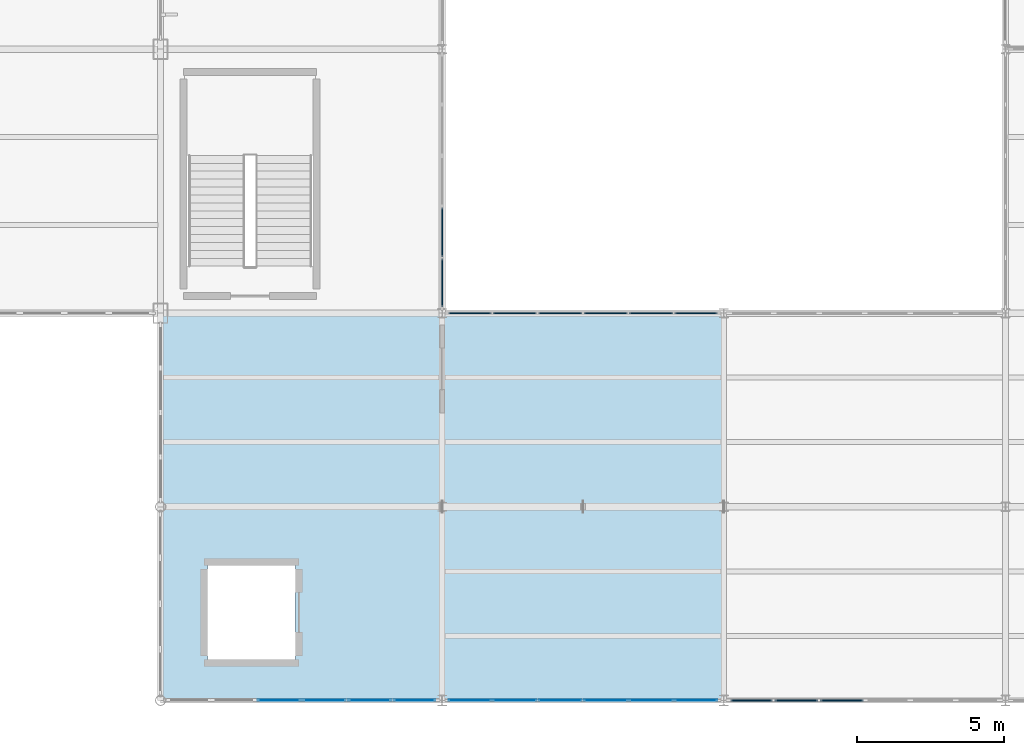
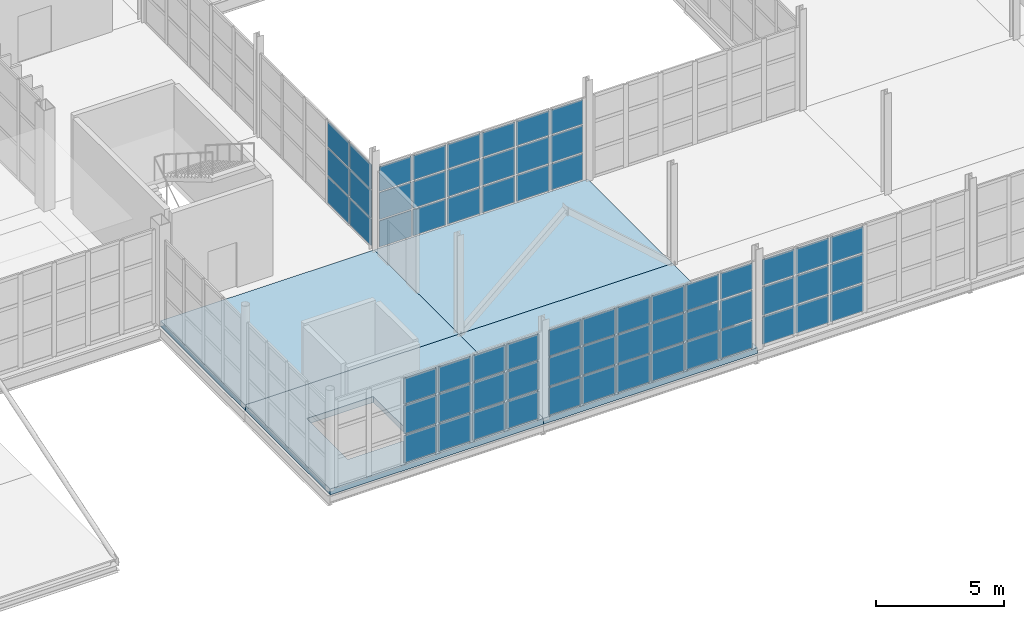
# One storey, part 89 of 120: 63 plates, 4 slabs, 5 elements without a shape of their own.
"""IFC4 building model written with IfcOpenShell, lengths in metres."""

from ifc_helpers import new_model, si_unit, direction, frame, origin, origin_2d, place, context, subcontext, project, spatial, polyline, rectangle, outline, extrude, material, layer, layer_set, type_object, element, aggregate, save


model = new_model("IFC4")

# Units and contexts
model_context = context("Model", 3, precision=1e-05, world=origin(), true_north=direction((0.0, 1.0)))
body_context = subcontext(model_context, "Body", "Model", "MODEL_VIEW")
ifc_project = project(units=[si_unit("LENGTHUNIT", "METRE"), si_unit("AREAUNIT", "SQUARE_METRE"), si_unit("VOLUMEUNIT", "CUBIC_METRE"), si_unit("PLANEANGLEUNIT", "RADIAN"), si_unit("MASSUNIT", "GRAM", prefix="KILO")], contexts=[model_context])

# Site, building, storey
site_placement = place(None, origin())
site = spatial("IfcSite", under=ifc_project, at=site_placement, CompositionType="ELEMENT")
building_placement = place(site_placement, origin())
building = spatial("IfcBuilding", under=site, at=building_placement, Name="Zarnetskaya Central Station", CompositionType="ELEMENT")
storey_placement = place(building_placement, frame((0.0, 0.0, 5.39990234375)))
storey = spatial("IfcBuildingStorey", under=building, at=storey_placement, Name="L01", CompositionType="ELEMENT", Elevation=5.39990234375)

# Curtain wall, plates
ifc_material_1 = material(Name="Low-E insulated glass", Category="glass")
ifc_layer_1 = layer(ifc_material_1, 0.159912109375, Name="Low-E insulated glass", Category="glass")
ifc_layer_set_1 = layer_set([ifc_layer_1], Name="Low-E insulated glass")
curtain_wall_type = type_object("IfcCurtainWallType", Name="CW-SYS-06", PredefinedType="USERDEFINED", material=ifc_layer_set_1)
curtain_wall_1_placement = place(storey_placement, origin())
curtain_wall_1 = element("IfcCurtainWall", 1, at=curtain_wall_1_placement, inside=storey, type_object=curtain_wall_type, Name="Curtain wall CW-L01-125", ObjectType="CURTAIN WALL", PredefinedType="USERDEFINED")
ifc_layer_2 = layer(ifc_material_1, 0.028076171875, Name="Low-E insulated glass", Category="glass")
ifc_layer_set_2 = layer_set([ifc_layer_2], Name="Low-E insulated glass")
plate_type_1 = type_object("IfcPlateType", Name="CW-PAN-28", PredefinedType="CURTAIN_PANEL", material=ifc_layer_set_2)
plate_1_placement = place(storey_placement, frame((143.0576171875, 0.0, 0.070068359375), z_axis=(0.0, 0.0, 1.0), x_axis=(-1.0, 0.0, 0.0)))
plate_1 = element("IfcPlate", 2, at=plate_1_placement, type_object=plate_type_1, Name="CW-02 panel 1.1", PredefinedType="CURTAIN_PANEL", context=body_context, shape_type="SweptSolid", body=[
    extrude(rectangle(XDim=1.445068359375, YDim=0.028076171875, at=origin_2d()), origin(), (0.0, 0.0, 1.0), 1.31591796875),
])
plate_2_placement = place(storey_placement, frame((143.0576171875, 0.0, 1.4560546875), z_axis=(0.0, 0.0, 1.0), x_axis=(-1.0, 0.0, 0.0)))
plate_2 = element("IfcPlate", 3, at=plate_2_placement, type_object=plate_type_1, Name="CW-02 panel 1.2", PredefinedType="CURTAIN_PANEL", context=body_context, shape_type="SweptSolid", body=[
    extrude(rectangle(XDim=1.445068359375, YDim=0.028076171875, at=origin_2d()), origin(), (0.0, 0.0, 1.0), 1.35107421875),
])
plate_3_placement = place(storey_placement, frame((143.0576171875, 0.0, 2.877197265625), z_axis=(0.0, 0.0, 1.0), x_axis=(-1.0, 0.0, 0.0)))
plate_3 = element("IfcPlate", 4, at=plate_3_placement, type_object=plate_type_1, Name="CW-02 panel 1.3", PredefinedType="CURTAIN_PANEL", context=body_context, shape_type="SweptSolid", body=[
    extrude(rectangle(XDim=1.445068359375, YDim=0.028076171875, at=origin_2d()), origin(), (0.0, 0.0, 1.0), 1.23291015625),
])
plate_4_placement = place(storey_placement, frame((141.52490234375, 0.0, 0.070068359375), z_axis=(0.0, 0.0, 1.0), x_axis=(-1.0, 0.0, 0.0)))
plate_4 = element("IfcPlate", 5, at=plate_4_placement, type_object=plate_type_1, Name="CW-02 panel 2.1", PredefinedType="CURTAIN_PANEL", context=body_context, shape_type="SweptSolid", body=[
    extrude(rectangle(XDim=1.47998046875, YDim=0.028076171875, at=origin_2d()), origin(), (0.0, 0.0, 1.0), 1.31591796875),
])
plate_5_placement = place(storey_placement, frame((141.52490234375, 0.0, 1.4560546875), z_axis=(0.0, 0.0, 1.0), x_axis=(-1.0, 0.0, 0.0)))
plate_5 = element("IfcPlate", 6, at=plate_5_placement, type_object=plate_type_1, Name="CW-02 panel 2.2", PredefinedType="CURTAIN_PANEL", context=body_context, shape_type="SweptSolid", body=[
    extrude(rectangle(XDim=1.47998046875, YDim=0.028076171875, at=origin_2d()), origin(), (0.0, 0.0, 1.0), 1.35107421875),
])
plate_6_placement = place(storey_placement, frame((141.52490234375, 0.0, 2.877197265625), z_axis=(0.0, 0.0, 1.0), x_axis=(-1.0, 0.0, 0.0)))
plate_6 = element("IfcPlate", 7, at=plate_6_placement, type_object=plate_type_1, Name="CW-02 panel 2.3", PredefinedType="CURTAIN_PANEL", context=body_context, shape_type="SweptSolid", body=[
    extrude(rectangle(XDim=1.47998046875, YDim=0.028076171875, at=origin_2d()), origin(), (0.0, 0.0, 1.0), 1.23291015625),
])
plate_7_placement = place(storey_placement, frame((139.97509765625, 0.0, 0.070068359375), z_axis=(0.0, 0.0, 1.0), x_axis=(-1.0, 0.0, 0.0)))
plate_7 = element("IfcPlate", 8, at=plate_7_placement, type_object=plate_type_1, Name="CW-02 panel 3.1", PredefinedType="CURTAIN_PANEL", context=body_context, shape_type="SweptSolid", body=[
    extrude(rectangle(XDim=1.47998046875, YDim=0.028076171875, at=origin_2d()), origin(), (0.0, 0.0, 1.0), 1.31591796875),
])
plate_8_placement = place(storey_placement, frame((139.97509765625, 0.0, 1.4560546875), z_axis=(0.0, 0.0, 1.0), x_axis=(-1.0, 0.0, 0.0)))
plate_8 = element("IfcPlate", 9, at=plate_8_placement, type_object=plate_type_1, Name="CW-02 panel 3.2", PredefinedType="CURTAIN_PANEL", context=body_context, shape_type="SweptSolid", body=[
    extrude(rectangle(XDim=1.47998046875, YDim=0.028076171875, at=origin_2d()), origin(), (0.0, 0.0, 1.0), 1.35107421875),
])
plate_9_placement = place(storey_placement, frame((139.97509765625, 0.0, 2.877197265625), z_axis=(0.0, 0.0, 1.0), x_axis=(-1.0, 0.0, 0.0)))
plate_9 = element("IfcPlate", 10, at=plate_9_placement, type_object=plate_type_1, Name="CW-02 panel 3.3", PredefinedType="CURTAIN_PANEL", context=body_context, shape_type="SweptSolid", body=[
    extrude(rectangle(XDim=1.47998046875, YDim=0.028076171875, at=origin_2d()), origin(), (0.0, 0.0, 1.0), 1.23291015625),
])
plate_10_placement = place(storey_placement, frame((138.425048828125, 0.0, 0.070068359375), z_axis=(0.0, 0.0, 1.0), x_axis=(-1.0, 0.0, 0.0)))
plate_10 = element("IfcPlate", 11, at=plate_10_placement, type_object=plate_type_1, Name="CW-02 panel 4.1", PredefinedType="CURTAIN_PANEL", context=body_context, shape_type="SweptSolid", body=[
    extrude(rectangle(XDim=1.47998046875, YDim=0.028076171875, at=origin_2d()), origin(), (0.0, 0.0, 1.0), 1.31591796875),
])
plate_11_placement = place(storey_placement, frame((138.425048828125, 0.0, 1.4560546875), z_axis=(0.0, 0.0, 1.0), x_axis=(-1.0, 0.0, 0.0)))
plate_11 = element("IfcPlate", 12, at=plate_11_placement, type_object=plate_type_1, Name="CW-02 panel 4.2", PredefinedType="CURTAIN_PANEL", context=body_context, shape_type="SweptSolid", body=[
    extrude(rectangle(XDim=1.47998046875, YDim=0.028076171875, at=origin_2d()), origin(), (0.0, 0.0, 1.0), 1.35107421875),
])
plate_12_placement = place(storey_placement, frame((138.425048828125, 0.0, 2.877197265625), z_axis=(0.0, 0.0, 1.0), x_axis=(-1.0, 0.0, 0.0)))
plate_12 = element("IfcPlate", 13, at=plate_12_placement, type_object=plate_type_1, Name="CW-02 panel 4.3", PredefinedType="CURTAIN_PANEL", context=body_context, shape_type="SweptSolid", body=[
    extrude(rectangle(XDim=1.47998046875, YDim=0.028076171875, at=origin_2d()), origin(), (0.0, 0.0, 1.0), 1.23291015625),
])
plate_13_placement = place(storey_placement, frame((136.875, 0.0, 0.070068359375), z_axis=(0.0, 0.0, 1.0), x_axis=(-1.0, 0.0, 0.0)))
plate_13 = element("IfcPlate", 14, at=plate_13_placement, type_object=plate_type_1, Name="CW-02 panel 5.1", PredefinedType="CURTAIN_PANEL", context=body_context, shape_type="SweptSolid", body=[
    extrude(rectangle(XDim=1.47998046875, YDim=0.028076171875, at=origin_2d()), origin(), (0.0, 0.0, 1.0), 1.31591796875),
])
plate_14_placement = place(storey_placement, frame((136.875, 0.0, 1.4560546875), z_axis=(0.0, 0.0, 1.0), x_axis=(-1.0, 0.0, 0.0)))
plate_14 = element("IfcPlate", 15, at=plate_14_placement, type_object=plate_type_1, Name="CW-02 panel 5.2", PredefinedType="CURTAIN_PANEL", context=body_context, shape_type="SweptSolid", body=[
    extrude(rectangle(XDim=1.47998046875, YDim=0.028076171875, at=origin_2d()), origin(), (0.0, 0.0, 1.0), 1.35107421875),
])
plate_15_placement = place(storey_placement, frame((136.875, 0.0, 2.877197265625), z_axis=(0.0, 0.0, 1.0), x_axis=(-1.0, 0.0, 0.0)))
plate_15 = element("IfcPlate", 16, at=plate_15_placement, type_object=plate_type_1, Name="CW-02 panel 5.3", PredefinedType="CURTAIN_PANEL", context=body_context, shape_type="SweptSolid", body=[
    extrude(rectangle(XDim=1.47998046875, YDim=0.028076171875, at=origin_2d()), origin(), (0.0, 0.0, 1.0), 1.23291015625),
])
plate_16_placement = place(storey_placement, frame((135.342529296875, 0.0, 0.070068359375), z_axis=(0.0, 0.0, 1.0), x_axis=(-1.0, 0.0, 0.0)))
plate_16 = element("IfcPlate", 17, at=plate_16_placement, type_object=plate_type_1, Name="CW-02 panel 6.1", PredefinedType="CURTAIN_PANEL", context=body_context, shape_type="SweptSolid", body=[
    extrude(rectangle(XDim=1.445068359375, YDim=0.028076171875, at=origin_2d()), origin(), (0.0, 0.0, 1.0), 1.31591796875),
])
plate_17_placement = place(storey_placement, frame((135.342529296875, 0.0, 1.4560546875), z_axis=(0.0, 0.0, 1.0), x_axis=(-1.0, 0.0, 0.0)))
plate_17 = element("IfcPlate", 18, at=plate_17_placement, type_object=plate_type_1, Name="CW-02 panel 6.2", PredefinedType="CURTAIN_PANEL", context=body_context, shape_type="SweptSolid", body=[
    extrude(rectangle(XDim=1.445068359375, YDim=0.028076171875, at=origin_2d()), origin(), (0.0, 0.0, 1.0), 1.35107421875),
])
plate_18_placement = place(storey_placement, frame((135.342529296875, 0.0, 2.877197265625), z_axis=(0.0, 0.0, 1.0), x_axis=(-1.0, 0.0, 0.0)))
plate_18 = element("IfcPlate", 19, at=plate_18_placement, type_object=plate_type_1, Name="CW-02 panel 6.3", PredefinedType="CURTAIN_PANEL", context=body_context, shape_type="SweptSolid", body=[
    extrude(rectangle(XDim=1.445068359375, YDim=0.028076171875, at=origin_2d()), origin(), (0.0, 0.0, 1.0), 1.23291015625),
])
aggregate(curtain_wall_1, [plate_1, plate_2, plate_3, plate_4, plate_5, plate_6, plate_7, plate_8, plate_9, plate_10, plate_11, plate_12, plate_13, plate_14, plate_15, plate_16, plate_17, plate_18])

curtain_wall_2_placement = place(storey_placement, origin())
curtain_wall_2 = element("IfcCurtainWall", 20, at=curtain_wall_2_placement, inside=storey, type_object=curtain_wall_type, Name="Curtain wall CW-L01-126", ObjectType="CURTAIN WALL", PredefinedType="USERDEFINED")
ifc_layer_3 = layer(ifc_material_1, 0.031982421875, Name="Low-E insulated glass", Category="glass")
ifc_layer_set_3 = layer_set([ifc_layer_3], Name="Low-E insulated glass")
plate_type_2 = type_object("IfcPlateType", Name="CW-PAN-32", PredefinedType="CURTAIN_PANEL", material=ifc_layer_set_3)
plate_19_placement = place(storey_placement, frame((133.457275390625, 0.0, 0.080078125), z_axis=(0.0, 0.0, 1.0), x_axis=(-1.0, 0.0, 0.0)))
plate_19 = element("IfcPlate", 21, at=plate_19_placement, type_object=plate_type_2, Name="CW-02 panel 1.1", PredefinedType="CURTAIN_PANEL", context=body_context, shape_type="SweptSolid", body=[
    extrude(rectangle(XDim=1.42529296875, YDim=0.031982421875, at=origin_2d()), origin(), (0.0, 0.0, 1.0), 1.301025390625),
])
plate_20_placement = place(storey_placement, frame((133.457275390625, 0.0, 1.4609375), z_axis=(0.0, 0.0, 1.0), x_axis=(-1.0, 0.0, 0.0)))
plate_20 = element("IfcPlate", 22, at=plate_20_placement, type_object=plate_type_2, Name="CW-02 panel 1.2", PredefinedType="CURTAIN_PANEL", context=body_context, shape_type="SweptSolid", body=[
    extrude(rectangle(XDim=1.42529296875, YDim=0.031982421875, at=origin_2d()), origin(), (0.0, 0.0, 1.0), 1.341064453125),
])
plate_21_placement = place(storey_placement, frame((133.457275390625, 0.0, 2.88232421875), z_axis=(0.0, 0.0, 1.0), x_axis=(-1.0, 0.0, 0.0)))
plate_21 = element("IfcPlate", 23, at=plate_21_placement, type_object=plate_type_2, Name="CW-02 panel 1.3", PredefinedType="CURTAIN_PANEL", context=body_context, shape_type="SweptSolid", body=[
    extrude(rectangle(XDim=1.42529296875, YDim=0.031982421875, at=origin_2d()), origin(), (0.0, 0.0, 1.0), 1.218017578125),
])
plate_22_placement = place(storey_placement, frame((131.931884765625, 0.0, 0.080078125), z_axis=(0.0, 0.0, 1.0), x_axis=(-1.0, 0.0, 0.0)))
plate_22 = element("IfcPlate", 24, at=plate_22_placement, type_object=plate_type_2, Name="CW-02 panel 2.1", PredefinedType="CURTAIN_PANEL", context=body_context, shape_type="SweptSolid", body=[
    extrude(rectangle(XDim=1.46533203125, YDim=0.031982421875, at=origin_2d()), origin(), (0.0, 0.0, 1.0), 1.301025390625),
])
plate_23_placement = place(storey_placement, frame((131.931884765625, 0.0, 1.4609375), z_axis=(0.0, 0.0, 1.0), x_axis=(-1.0, 0.0, 0.0)))
plate_23 = element("IfcPlate", 25, at=plate_23_placement, type_object=plate_type_2, Name="CW-02 panel 2.2", PredefinedType="CURTAIN_PANEL", context=body_context, shape_type="SweptSolid", body=[
    extrude(rectangle(XDim=1.46533203125, YDim=0.031982421875, at=origin_2d()), origin(), (0.0, 0.0, 1.0), 1.341064453125),
])
plate_24_placement = place(storey_placement, frame((131.931884765625, 0.0, 2.88232421875), z_axis=(0.0, 0.0, 1.0), x_axis=(-1.0, 0.0, 0.0)))
plate_24 = element("IfcPlate", 26, at=plate_24_placement, type_object=plate_type_2, Name="CW-02 panel 2.3", PredefinedType="CURTAIN_PANEL", context=body_context, shape_type="SweptSolid", body=[
    extrude(rectangle(XDim=1.46533203125, YDim=0.031982421875, at=origin_2d()), origin(), (0.0, 0.0, 1.0), 1.218017578125),
])
plate_25_placement = place(storey_placement, frame((130.386474609375, 0.0, 0.080078125), z_axis=(0.0, 0.0, 1.0), x_axis=(-1.0, 0.0, 0.0)))
plate_25 = element("IfcPlate", 27, at=plate_25_placement, type_object=plate_type_2, Name="CW-02 panel 3.1", PredefinedType="CURTAIN_PANEL", context=body_context, shape_type="SweptSolid", body=[
    extrude(rectangle(XDim=1.46533203125, YDim=0.031982421875, at=origin_2d()), origin(), (0.0, 0.0, 1.0), 1.301025390625),
])
plate_26_placement = place(storey_placement, frame((130.386474609375, 0.0, 1.4609375), z_axis=(0.0, 0.0, 1.0), x_axis=(-1.0, 0.0, 0.0)))
plate_26 = element("IfcPlate", 28, at=plate_26_placement, type_object=plate_type_2, Name="CW-02 panel 3.2", PredefinedType="CURTAIN_PANEL", context=body_context, shape_type="SweptSolid", body=[
    extrude(rectangle(XDim=1.46533203125, YDim=0.031982421875, at=origin_2d()), origin(), (0.0, 0.0, 1.0), 1.341064453125),
])
plate_27_placement = place(storey_placement, frame((130.386474609375, 0.0, 2.88232421875), z_axis=(0.0, 0.0, 1.0), x_axis=(-1.0, 0.0, 0.0)))
plate_27 = element("IfcPlate", 29, at=plate_27_placement, type_object=plate_type_2, Name="CW-02 panel 3.3", PredefinedType="CURTAIN_PANEL", context=body_context, shape_type="SweptSolid", body=[
    extrude(rectangle(XDim=1.46533203125, YDim=0.031982421875, at=origin_2d()), origin(), (0.0, 0.0, 1.0), 1.218017578125),
])
plate_28_placement = place(storey_placement, frame((128.84130859375, 0.0, 0.080078125), z_axis=(0.0, 0.0, 1.0), x_axis=(-1.0, 0.0, 0.0)))
plate_28 = element("IfcPlate", 30, at=plate_28_placement, type_object=plate_type_2, Name="CW-02 panel 4.1", PredefinedType="CURTAIN_PANEL", context=body_context, shape_type="SweptSolid", body=[
    extrude(rectangle(XDim=1.46533203125, YDim=0.031982421875, at=origin_2d()), origin(), (0.0, 0.0, 1.0), 1.301025390625),
])
plate_29_placement = place(storey_placement, frame((128.84130859375, 0.0, 1.4609375), z_axis=(0.0, 0.0, 1.0), x_axis=(-1.0, 0.0, 0.0)))
plate_29 = element("IfcPlate", 31, at=plate_29_placement, type_object=plate_type_2, Name="CW-02 panel 4.2", PredefinedType="CURTAIN_PANEL", context=body_context, shape_type="SweptSolid", body=[
    extrude(rectangle(XDim=1.46533203125, YDim=0.031982421875, at=origin_2d()), origin(), (0.0, 0.0, 1.0), 1.341064453125),
])
plate_30_placement = place(storey_placement, frame((128.84130859375, 0.0, 2.88232421875), z_axis=(0.0, 0.0, 1.0), x_axis=(-1.0, 0.0, 0.0)))
plate_30 = element("IfcPlate", 32, at=plate_30_placement, type_object=plate_type_2, Name="CW-02 panel 4.3", PredefinedType="CURTAIN_PANEL", context=body_context, shape_type="SweptSolid", body=[
    extrude(rectangle(XDim=1.46533203125, YDim=0.031982421875, at=origin_2d()), origin(), (0.0, 0.0, 1.0), 1.218017578125),
])
aggregate(curtain_wall_2, [plate_19, plate_20, plate_21, plate_22, plate_23, plate_24, plate_25, plate_26, plate_27, plate_28, plate_29, plate_30])

curtain_wall_3_placement = place(storey_placement, origin())
curtain_wall_3 = element("IfcCurtainWall", 33, at=curtain_wall_3_placement, inside=storey, type_object=curtain_wall_type, Name="Curtain wall CW-L01-127", ObjectType="CURTAIN WALL", PredefinedType="USERDEFINED")
ifc_layer_4 = layer(ifc_material_1, 0.035888671875, Name="Low-E insulated glass", Category="glass")
ifc_layer_set_4 = layer_set([ifc_layer_4], Name="Low-E insulated glass")
plate_type_3 = type_object("IfcPlateType", Name="CW-PAN-36", PredefinedType="CURTAIN_PANEL", material=ifc_layer_set_4)
plate_31_placement = place(storey_placement, frame((135.342529296875, 13.199951171875, 0.06982421875), z_axis=(0.0, 0.0, 1.0), x_axis=(1.0, 0.0, 0.0)))
plate_31 = element("IfcPlate", 34, at=plate_31_placement, type_object=plate_type_3, Name="CW-02 panel 1.1", PredefinedType="CURTAIN_PANEL", context=body_context, shape_type="SweptSolid", body=[
    extrude(rectangle(XDim=1.445068359375, YDim=0.035888671875, at=origin_2d()), origin(), (0.0, 0.0, 1.0), 1.235107421875),
])
plate_32_placement = place(storey_placement, frame((135.342529296875, 13.199951171875, 1.375), z_axis=(0.0, 0.0, 1.0), x_axis=(1.0, 0.0, 0.0)))
plate_32 = element("IfcPlate", 35, at=plate_32_placement, type_object=plate_type_3, Name="CW-02 panel 1.2", PredefinedType="CURTAIN_PANEL", context=body_context, shape_type="SweptSolid", body=[
    extrude(rectangle(XDim=1.445068359375, YDim=0.035888671875, at=origin_2d()), origin(), (0.0, 0.0, 1.0), 1.26904296875),
])
plate_33_placement = place(storey_placement, frame((135.342529296875, 13.199951171875, 2.7138671875), z_axis=(0.0, 0.0, 1.0), x_axis=(1.0, 0.0, 0.0)))
plate_33 = element("IfcPlate", 36, at=plate_33_placement, type_object=plate_type_3, Name="CW-02 panel 1.3", PredefinedType="CURTAIN_PANEL", context=body_context, shape_type="SweptSolid", body=[
    extrude(rectangle(XDim=1.445068359375, YDim=0.035888671875, at=origin_2d()), origin(), (0.0, 0.0, 1.0), 1.156005859375),
])
plate_34_placement = place(storey_placement, frame((136.875, 13.199951171875, 0.06982421875), z_axis=(0.0, 0.0, 1.0), x_axis=(1.0, 0.0, 0.0)))
plate_34 = element("IfcPlate", 37, at=plate_34_placement, type_object=plate_type_3, Name="CW-02 panel 2.1", PredefinedType="CURTAIN_PANEL", context=body_context, shape_type="SweptSolid", body=[
    extrude(rectangle(XDim=1.47998046875, YDim=0.035888671875, at=origin_2d()), origin(), (0.0, 0.0, 1.0), 1.235107421875),
])
plate_35_placement = place(storey_placement, frame((136.875, 13.199951171875, 1.375), z_axis=(0.0, 0.0, 1.0), x_axis=(1.0, 0.0, 0.0)))
plate_35 = element("IfcPlate", 38, at=plate_35_placement, type_object=plate_type_3, Name="CW-02 panel 2.2", PredefinedType="CURTAIN_PANEL", context=body_context, shape_type="SweptSolid", body=[
    extrude(rectangle(XDim=1.47998046875, YDim=0.035888671875, at=origin_2d()), origin(), (0.0, 0.0, 1.0), 1.26904296875),
])
plate_36_placement = place(storey_placement, frame((136.875, 13.199951171875, 2.7138671875), z_axis=(0.0, 0.0, 1.0), x_axis=(1.0, 0.0, 0.0)))
plate_36 = element("IfcPlate", 39, at=plate_36_placement, type_object=plate_type_3, Name="CW-02 panel 2.3", PredefinedType="CURTAIN_PANEL", context=body_context, shape_type="SweptSolid", body=[
    extrude(rectangle(XDim=1.47998046875, YDim=0.035888671875, at=origin_2d()), origin(), (0.0, 0.0, 1.0), 1.156005859375),
])
plate_37_placement = place(storey_placement, frame((138.425048828125, 13.199951171875, 0.06982421875), z_axis=(0.0, 0.0, 1.0), x_axis=(1.0, 0.0, 0.0)))
plate_37 = element("IfcPlate", 40, at=plate_37_placement, type_object=plate_type_3, Name="CW-02 panel 3.1", PredefinedType="CURTAIN_PANEL", context=body_context, shape_type="SweptSolid", body=[
    extrude(rectangle(XDim=1.47998046875, YDim=0.035888671875, at=origin_2d()), origin(), (0.0, 0.0, 1.0), 1.235107421875),
])
plate_38_placement = place(storey_placement, frame((138.425048828125, 13.199951171875, 1.375), z_axis=(0.0, 0.0, 1.0), x_axis=(1.0, 0.0, 0.0)))
plate_38 = element("IfcPlate", 41, at=plate_38_placement, type_object=plate_type_3, Name="CW-02 panel 3.2", PredefinedType="CURTAIN_PANEL", context=body_context, shape_type="SweptSolid", body=[
    extrude(rectangle(XDim=1.47998046875, YDim=0.035888671875, at=origin_2d()), origin(), (0.0, 0.0, 1.0), 1.26904296875),
])
plate_39_placement = place(storey_placement, frame((138.425048828125, 13.199951171875, 2.7138671875), z_axis=(0.0, 0.0, 1.0), x_axis=(1.0, 0.0, 0.0)))
plate_39 = element("IfcPlate", 42, at=plate_39_placement, type_object=plate_type_3, Name="CW-02 panel 3.3", PredefinedType="CURTAIN_PANEL", context=body_context, shape_type="SweptSolid", body=[
    extrude(rectangle(XDim=1.47998046875, YDim=0.035888671875, at=origin_2d()), origin(), (0.0, 0.0, 1.0), 1.156005859375),
])
plate_40_placement = place(storey_placement, frame((139.97509765625, 13.199951171875, 0.06982421875), z_axis=(0.0, 0.0, 1.0), x_axis=(1.0, 0.0, 0.0)))
plate_40 = element("IfcPlate", 43, at=plate_40_placement, type_object=plate_type_3, Name="CW-02 panel 4.1", PredefinedType="CURTAIN_PANEL", context=body_context, shape_type="SweptSolid", body=[
    extrude(rectangle(XDim=1.47998046875, YDim=0.035888671875, at=origin_2d()), origin(), (0.0, 0.0, 1.0), 1.235107421875),
])
plate_41_placement = place(storey_placement, frame((139.97509765625, 13.199951171875, 1.375), z_axis=(0.0, 0.0, 1.0), x_axis=(1.0, 0.0, 0.0)))
plate_41 = element("IfcPlate", 44, at=plate_41_placement, type_object=plate_type_3, Name="CW-02 panel 4.2", PredefinedType="CURTAIN_PANEL", context=body_context, shape_type="SweptSolid", body=[
    extrude(rectangle(XDim=1.47998046875, YDim=0.035888671875, at=origin_2d()), origin(), (0.0, 0.0, 1.0), 1.26904296875),
])
plate_42_placement = place(storey_placement, frame((139.97509765625, 13.199951171875, 2.7138671875), z_axis=(0.0, 0.0, 1.0), x_axis=(1.0, 0.0, 0.0)))
plate_42 = element("IfcPlate", 45, at=plate_42_placement, type_object=plate_type_3, Name="CW-02 panel 4.3", PredefinedType="CURTAIN_PANEL", context=body_context, shape_type="SweptSolid", body=[
    extrude(rectangle(XDim=1.47998046875, YDim=0.035888671875, at=origin_2d()), origin(), (0.0, 0.0, 1.0), 1.156005859375),
])
plate_43_placement = place(storey_placement, frame((141.52490234375, 13.199951171875, 0.06982421875), z_axis=(0.0, 0.0, 1.0), x_axis=(1.0, 0.0, 0.0)))
plate_43 = element("IfcPlate", 46, at=plate_43_placement, type_object=plate_type_3, Name="CW-02 panel 5.1", PredefinedType="CURTAIN_PANEL", context=body_context, shape_type="SweptSolid", body=[
    extrude(rectangle(XDim=1.47998046875, YDim=0.035888671875, at=origin_2d()), origin(), (0.0, 0.0, 1.0), 1.235107421875),
])
plate_44_placement = place(storey_placement, frame((141.52490234375, 13.199951171875, 1.375), z_axis=(0.0, 0.0, 1.0), x_axis=(1.0, 0.0, 0.0)))
plate_44 = element("IfcPlate", 47, at=plate_44_placement, type_object=plate_type_3, Name="CW-02 panel 5.2", PredefinedType="CURTAIN_PANEL", context=body_context, shape_type="SweptSolid", body=[
    extrude(rectangle(XDim=1.47998046875, YDim=0.035888671875, at=origin_2d()), origin(), (0.0, 0.0, 1.0), 1.26904296875),
])
plate_45_placement = place(storey_placement, frame((141.52490234375, 13.199951171875, 2.7138671875), z_axis=(0.0, 0.0, 1.0), x_axis=(1.0, 0.0, 0.0)))
plate_45 = element("IfcPlate", 48, at=plate_45_placement, type_object=plate_type_3, Name="CW-02 panel 5.3", PredefinedType="CURTAIN_PANEL", context=body_context, shape_type="SweptSolid", body=[
    extrude(rectangle(XDim=1.47998046875, YDim=0.035888671875, at=origin_2d()), origin(), (0.0, 0.0, 1.0), 1.156005859375),
])
plate_46_placement = place(storey_placement, frame((143.0576171875, 13.199951171875, 0.06982421875), z_axis=(0.0, 0.0, 1.0), x_axis=(1.0, 0.0, 0.0)))
plate_46 = element("IfcPlate", 49, at=plate_46_placement, type_object=plate_type_3, Name="CW-02 panel 6.1", PredefinedType="CURTAIN_PANEL", context=body_context, shape_type="SweptSolid", body=[
    extrude(rectangle(XDim=1.445068359375, YDim=0.035888671875, at=origin_2d()), origin(), (0.0, 0.0, 1.0), 1.235107421875),
])
plate_47_placement = place(storey_placement, frame((143.0576171875, 13.199951171875, 1.375), z_axis=(0.0, 0.0, 1.0), x_axis=(1.0, 0.0, 0.0)))
plate_47 = element("IfcPlate", 50, at=plate_47_placement, type_object=plate_type_3, Name="CW-02 panel 6.2", PredefinedType="CURTAIN_PANEL", context=body_context, shape_type="SweptSolid", body=[
    extrude(rectangle(XDim=1.445068359375, YDim=0.035888671875, at=origin_2d()), origin(), (0.0, 0.0, 1.0), 1.26904296875),
])
plate_48_placement = place(storey_placement, frame((143.0576171875, 13.199951171875, 2.7138671875), z_axis=(0.0, 0.0, 1.0), x_axis=(1.0, 0.0, 0.0)))
plate_48 = element("IfcPlate", 51, at=plate_48_placement, type_object=plate_type_3, Name="CW-02 panel 6.3", PredefinedType="CURTAIN_PANEL", context=body_context, shape_type="SweptSolid", body=[
    extrude(rectangle(XDim=1.445068359375, YDim=0.035888671875, at=origin_2d()), origin(), (0.0, 0.0, 1.0), 1.156005859375),
])
aggregate(curtain_wall_3, [plate_31, plate_32, plate_33, plate_34, plate_35, plate_36, plate_37, plate_38, plate_39, plate_40, plate_41, plate_42, plate_43, plate_44, plate_45, plate_46, plate_47, plate_48])

curtain_wall_4_placement = place(storey_placement, origin())
curtain_wall_4 = element("IfcCurtainWall", 52, at=curtain_wall_4_placement, inside=storey, type_object=curtain_wall_type, Name="Curtain wall CW-L01-133", ObjectType="CURTAIN WALL", PredefinedType="USERDEFINED")
ifc_layer_5 = layer(ifc_material_1, 0.0400390625, Name="Low-E insulated glass", Category="glass")
ifc_layer_set_5 = layer_set([ifc_layer_5], Name="Low-E insulated glass")
plate_type_4 = type_object("IfcPlateType", Name="CW-PAN-40", PredefinedType="CURTAIN_PANEL", material=ifc_layer_set_5)
plate_49_placement = place(storey_placement, frame((134.39990234375, 15.9599609375, 0.070068359375), z_axis=(0.0, 0.0, 1.0), x_axis=(0.0, -1.0, 0.0)))
plate_49 = element("IfcPlate", 53, at=plate_49_placement, type_object=plate_type_4, Name="CW-02 panel 4.1", PredefinedType="CURTAIN_PANEL", context=body_context, shape_type="SweptSolid", body=[
    extrude(rectangle(XDim=1.669921875, YDim=0.0400390625, at=origin_2d()), origin(), (0.0, 0.0, 1.0), 1.251953125),
])
plate_50_placement = place(storey_placement, frame((134.39990234375, 15.9599609375, 1.39208984375), z_axis=(0.0, 0.0, 1.0), x_axis=(0.0, -1.0, 0.0)))
plate_50 = element("IfcPlate", 54, at=plate_50_placement, type_object=plate_type_4, Name="CW-02 panel 4.2", PredefinedType="CURTAIN_PANEL", context=body_context, shape_type="SweptSolid", body=[
    extrude(rectangle(XDim=1.669921875, YDim=0.0400390625, at=origin_2d()), origin(), (0.0, 0.0, 1.0), 1.285888671875),
])
plate_51_placement = place(storey_placement, frame((134.39990234375, 15.9599609375, 2.748046875), z_axis=(0.0, 0.0, 1.0), x_axis=(0.0, -1.0, 0.0)))
plate_51 = element("IfcPlate", 55, at=plate_51_placement, type_object=plate_type_4, Name="CW-02 panel 4.3", PredefinedType="CURTAIN_PANEL", context=body_context, shape_type="SweptSolid", body=[
    extrude(rectangle(XDim=1.669921875, YDim=0.0400390625, at=origin_2d()), origin(), (0.0, 0.0, 1.0), 1.172119140625),
])
plate_52_placement = place(storey_placement, frame((134.39990234375, 14.237548828125, 0.070068359375), z_axis=(0.0, 0.0, 1.0), x_axis=(0.0, -1.0, 0.0)))
plate_52 = element("IfcPlate", 56, at=plate_52_placement, type_object=plate_type_4, Name="CW-02 panel 5.1", PredefinedType="CURTAIN_PANEL", context=body_context, shape_type="SweptSolid", body=[
    extrude(rectangle(XDim=1.635009765625, YDim=0.0400390625, at=origin_2d()), origin(), (0.0, 0.0, 1.0), 1.251953125),
])
plate_53_placement = place(storey_placement, frame((134.39990234375, 14.237548828125, 1.39208984375), z_axis=(0.0, 0.0, 1.0), x_axis=(0.0, -1.0, 0.0)))
plate_53 = element("IfcPlate", 57, at=plate_53_placement, type_object=plate_type_4, Name="CW-02 panel 5.2", PredefinedType="CURTAIN_PANEL", context=body_context, shape_type="SweptSolid", body=[
    extrude(rectangle(XDim=1.635009765625, YDim=0.0400390625, at=origin_2d()), origin(), (0.0, 0.0, 1.0), 1.285888671875),
])
plate_54_placement = place(storey_placement, frame((134.39990234375, 14.237548828125, 2.748046875), z_axis=(0.0, 0.0, 1.0), x_axis=(0.0, -1.0, 0.0)))
plate_54 = element("IfcPlate", 58, at=plate_54_placement, type_object=plate_type_4, Name="CW-02 panel 5.3", PredefinedType="CURTAIN_PANEL", context=body_context, shape_type="SweptSolid", body=[
    extrude(rectangle(XDim=1.635009765625, YDim=0.0400390625, at=origin_2d()), origin(), (0.0, 0.0, 1.0), 1.172119140625),
])
aggregate(curtain_wall_4, [plate_49, plate_50, plate_51, plate_52, plate_53, plate_54])

curtain_wall_5_placement = place(storey_placement, origin())
curtain_wall_5 = element("IfcCurtainWall", 59, at=curtain_wall_5_placement, inside=storey, type_object=curtain_wall_type, Name="Curtain wall CW-L01-124", ObjectType="CURTAIN WALL", PredefinedType="USERDEFINED")
ifc_layer_6 = layer(ifc_material_1, 0.0439453125, Name="Low-E insulated glass", Category="glass")
ifc_layer_set_6 = layer_set([ifc_layer_6], Name="Low-E insulated glass")
plate_type_5 = type_object("IfcPlateType", Name="CW-PAN-44", PredefinedType="CURTAIN_PANEL", material=ifc_layer_set_6)
plate_55_placement = place(storey_placement, frame((148.02490234375, 0.0, 0.080078125), z_axis=(0.0, 0.0, 1.0), x_axis=(-1.0, 0.0, 0.0)))
plate_55 = element("IfcPlate", 60, at=plate_55_placement, type_object=plate_type_5, Name="CW-02 panel 4.1", PredefinedType="CURTAIN_PANEL", context=body_context, shape_type="SweptSolid", body=[
    extrude(rectangle(XDim=1.469970703125, YDim=0.0439453125, at=origin_2d()), origin(), (0.0, 0.0, 1.0), 1.301025390625),
])
plate_56_placement = place(storey_placement, frame((148.02490234375, 0.0, 1.4609375), z_axis=(0.0, 0.0, 1.0), x_axis=(-1.0, 0.0, 0.0)))
plate_56 = element("IfcPlate", 61, at=plate_56_placement, type_object=plate_type_5, Name="CW-02 panel 4.2", PredefinedType="CURTAIN_PANEL", context=body_context, shape_type="SweptSolid", body=[
    extrude(rectangle(XDim=1.469970703125, YDim=0.0439453125, at=origin_2d()), origin(), (0.0, 0.0, 1.0), 1.341064453125),
])
plate_57_placement = place(storey_placement, frame((148.02490234375, 0.0, 2.88232421875), z_axis=(0.0, 0.0, 1.0), x_axis=(-1.0, 0.0, 0.0)))
plate_57 = element("IfcPlate", 62, at=plate_57_placement, type_object=plate_type_5, Name="CW-02 panel 4.3", PredefinedType="CURTAIN_PANEL", context=body_context, shape_type="SweptSolid", body=[
    extrude(rectangle(XDim=1.469970703125, YDim=0.0439453125, at=origin_2d()), origin(), (0.0, 0.0, 1.0), 1.218017578125),
])
plate_58_placement = place(storey_placement, frame((146.47509765625, 0.0, 0.080078125), z_axis=(0.0, 0.0, 1.0), x_axis=(-1.0, 0.0, 0.0)))
plate_58 = element("IfcPlate", 63, at=plate_58_placement, type_object=plate_type_5, Name="CW-02 panel 5.1", PredefinedType="CURTAIN_PANEL", context=body_context, shape_type="SweptSolid", body=[
    extrude(rectangle(XDim=1.469970703125, YDim=0.0439453125, at=origin_2d()), origin(), (0.0, 0.0, 1.0), 1.301025390625),
])
plate_59_placement = place(storey_placement, frame((146.47509765625, 0.0, 1.4609375), z_axis=(0.0, 0.0, 1.0), x_axis=(-1.0, 0.0, 0.0)))
plate_59 = element("IfcPlate", 64, at=plate_59_placement, type_object=plate_type_5, Name="CW-02 panel 5.2", PredefinedType="CURTAIN_PANEL", context=body_context, shape_type="SweptSolid", body=[
    extrude(rectangle(XDim=1.469970703125, YDim=0.0439453125, at=origin_2d()), origin(), (0.0, 0.0, 1.0), 1.341064453125),
])
plate_60_placement = place(storey_placement, frame((146.47509765625, 0.0, 2.88232421875), z_axis=(0.0, 0.0, 1.0), x_axis=(-1.0, 0.0, 0.0)))
plate_60 = element("IfcPlate", 65, at=plate_60_placement, type_object=plate_type_5, Name="CW-02 panel 5.3", PredefinedType="CURTAIN_PANEL", context=body_context, shape_type="SweptSolid", body=[
    extrude(rectangle(XDim=1.469970703125, YDim=0.0439453125, at=origin_2d()), origin(), (0.0, 0.0, 1.0), 1.218017578125),
])
plate_61_placement = place(storey_placement, frame((144.945068359375, 0.0, 0.080078125), z_axis=(0.0, 0.0, 1.0), x_axis=(-1.0, 0.0, 0.0)))
plate_61 = element("IfcPlate", 66, at=plate_61_placement, type_object=plate_type_5, Name="CW-02 panel 6.1", PredefinedType="CURTAIN_PANEL", context=body_context, shape_type="SweptSolid", body=[
    extrude(rectangle(XDim=1.429931640625, YDim=0.0439453125, at=origin_2d()), origin(), (0.0, 0.0, 1.0), 1.301025390625),
])
plate_62_placement = place(storey_placement, frame((144.945068359375, 0.0, 1.4609375), z_axis=(0.0, 0.0, 1.0), x_axis=(-1.0, 0.0, 0.0)))
plate_62 = element("IfcPlate", 67, at=plate_62_placement, type_object=plate_type_5, Name="CW-02 panel 6.2", PredefinedType="CURTAIN_PANEL", context=body_context, shape_type="SweptSolid", body=[
    extrude(rectangle(XDim=1.429931640625, YDim=0.0439453125, at=origin_2d()), origin(), (0.0, 0.0, 1.0), 1.341064453125),
])
plate_63_placement = place(storey_placement, frame((144.945068359375, 0.0, 2.88232421875), z_axis=(0.0, 0.0, 1.0), x_axis=(-1.0, 0.0, 0.0)))
plate_63 = element("IfcPlate", 68, at=plate_63_placement, type_object=plate_type_5, Name="CW-02 panel 6.3", PredefinedType="CURTAIN_PANEL", context=body_context, shape_type="SweptSolid", body=[
    extrude(rectangle(XDim=1.429931640625, YDim=0.0439453125, at=origin_2d()), origin(), (0.0, 0.0, 1.0), 1.218017578125),
])
aggregate(curtain_wall_5, [plate_55, plate_56, plate_57, plate_58, plate_59, plate_60, plate_61, plate_62, plate_63])

# Slabs
ifc_material_2 = material(Name="Concrete C30/37", Category="concrete")
ifc_layer_7 = layer(ifc_material_2, 0.280029296875, Name="Concrete C30/37", Category="concrete")
ifc_layer_set_7 = layer_set([ifc_layer_7], Name="Concrete C30/37")
slab_type = type_object("IfcSlabType", Name="SLAB-BRG-280", PredefinedType="FLOOR", material=ifc_layer_set_7)
slab_1_placement = place(storey_placement, frame((0.0, 0.0, -0.27978515625)))
element("IfcSlab", 69, at=slab_1_placement, inside=storey, type_object=slab_type, Name="L01 slab P-Q/1-2", PredefinedType="FLOOR", context=body_context, shape_type="SweptSolid", body=[
    extrude(outline(polyline([(124.800048828125, 0.0), (134.39990234375, 0.0), (134.39990234375, 6.60009765625), (124.800048828125, 6.60009765625), (124.800048828125, 0.0)]), holes=[polyline([(126.39990234375, 1.39990234375), (129.39990234375, 1.39990234375), (129.39990234375, 4.60009765625), (126.39990234375, 4.60009765625), (126.39990234375, 1.39990234375)])]), origin(), (0.0, 0.0, 1.0), 0.27978515625),
])
slab_2_placement = place(storey_placement, frame((0.0, 0.0, -0.27978515625)))
element("IfcSlab", 70, at=slab_2_placement, inside=storey, type_object=slab_type, Name="L01 slab P-Q/2-3", PredefinedType="FLOOR", context=body_context, shape_type="SweptSolid", body=[
    extrude(outline(polyline([(124.800048828125, 6.60009765625), (134.39990234375, 6.60009765625), (134.39990234375, 13.199951171875), (124.800048828125, 13.199951171875), (124.800048828125, 6.60009765625)])), origin(), (0.0, 0.0, 1.0), 0.27978515625),
])
slab_3_placement = place(storey_placement, frame((0.0, 0.0, -0.27978515625)))
element("IfcSlab", 71, at=slab_3_placement, inside=storey, type_object=slab_type, Name="L01 slab Q-R/1-2", PredefinedType="FLOOR", context=body_context, shape_type="SweptSolid", body=[
    extrude(outline(polyline([(134.39990234375, 0.0), (144.0, 0.0), (144.0, 6.60009765625), (134.39990234375, 6.60009765625), (134.39990234375, 0.0)])), origin(), (0.0, 0.0, 1.0), 0.27978515625),
])
slab_4_placement = place(storey_placement, frame((0.0, 0.0, -0.27978515625)))
element("IfcSlab", 72, at=slab_4_placement, inside=storey, type_object=slab_type, Name="L01 slab Q-R/2-3", PredefinedType="FLOOR", context=body_context, shape_type="SweptSolid", body=[
    extrude(outline(polyline([(134.39990234375, 6.60009765625), (144.0, 6.60009765625), (144.0, 13.199951171875), (134.39990234375, 13.199951171875), (134.39990234375, 6.60009765625)])), origin(), (0.0, 0.0, 1.0), 0.27978515625),
])

save(model, "model.ifc")
